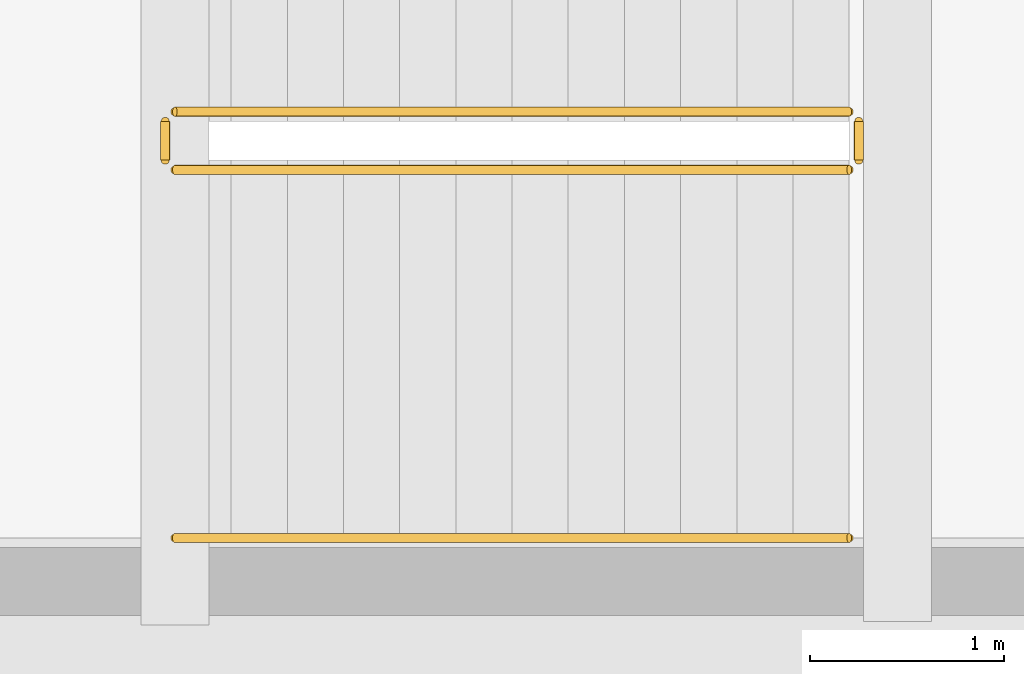
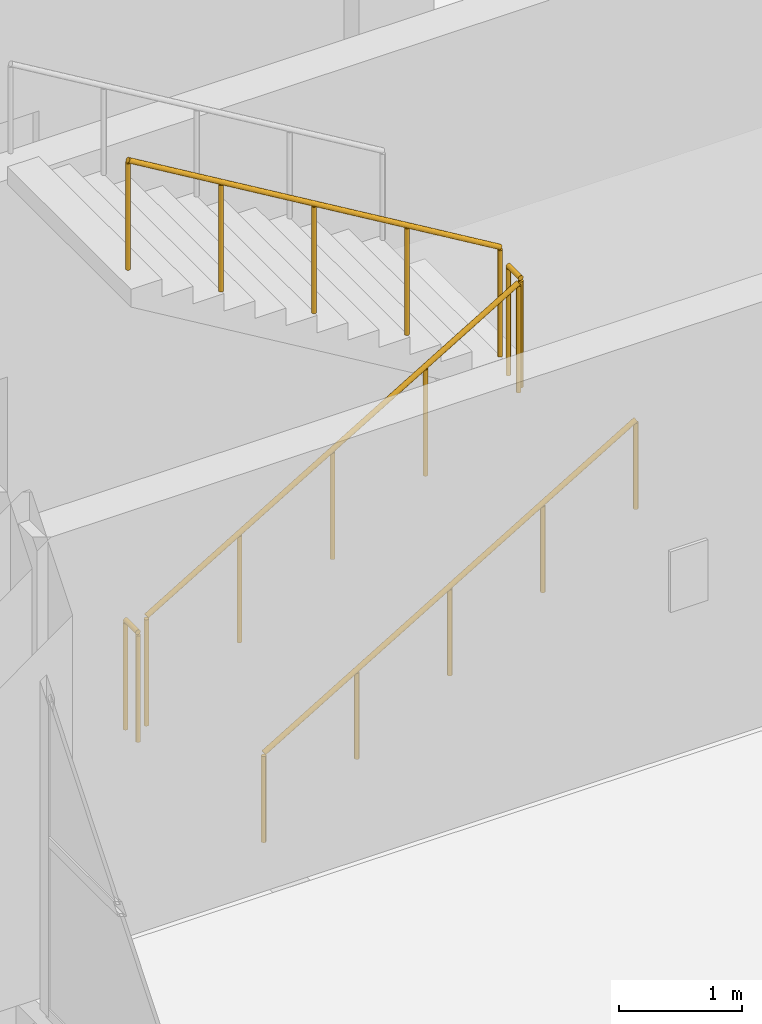
# One storey, part 40 of 45: 5 railings.
"""IFC4 building model written with IfcOpenShell, lengths in metres."""

from ifc_helpers import new_model, si_unit, direction, frame, origin, origin_2d, place, context, subcontext, project, spatial, circle, extrude, material, type_object, element, save


model = new_model("IFC4")

# Units and contexts
model_context = context("Model", 3, precision=1e-05, world=origin(), true_north=direction((0.0, 1.0)))
body_context = subcontext(model_context, "Body", "Model", "MODEL_VIEW")
ifc_project = project(units=[si_unit("LENGTHUNIT", "METRE"), si_unit("AREAUNIT", "SQUARE_METRE"), si_unit("VOLUMEUNIT", "CUBIC_METRE"), si_unit("PLANEANGLEUNIT", "RADIAN"), si_unit("MASSUNIT", "GRAM", prefix="KILO")], contexts=[model_context])

# Site, building, storey
site_placement = place(None, origin())
site = spatial("IfcSite", under=ifc_project, at=site_placement, CompositionType="ELEMENT")
building_placement = place(site_placement, origin())
building = spatial("IfcBuilding", under=site, at=building_placement, Name="Qorikala Patio Media Centre", CompositionType="ELEMENT")
storey_placement = place(building_placement, frame((0.0, 0.0, 9.89990234375)))
storey = spatial("IfcBuildingStorey", under=building, at=storey_placement, Name="L02", CompositionType="ELEMENT", Elevation=9.89990234375)

# Railings
ifc_material_1 = material(Name="Wrought Bronze and Steel S355", Category="steel")
railing_type_1 = type_object("IfcRailingType", Name="RL-GUARD-110", PredefinedType="GUARDRAIL", material=ifc_material_1)
railing_1_placement = place(storey_placement, frame((53.60009765625, 66.35009765625, 0.173095703125)))
element("IfcRailing", 1, at=railing_1_placement, inside=storey, type_object=railing_type_1, Name="L02 ST-6 stair guard 1", PredefinedType="GUARDRAIL", context=body_context, shape_type="SweptSolid", body=[
    extrude(circle(Radius=0.02392578125, at=origin_2d()), frame((0.0, 0.0, 1.076171875), z_axis=(0.858697190188, 0.0, 0.512483302717), x_axis=(0.0, 1.0, 0.0)), (0.0, 0.0, 1.0), 4.052734375),
    extrude(circle(Radius=0.02099609375, at=origin_2d()), origin(), (0.0, 0.0, 1.0), 1.052001953125),
    extrude(circle(Radius=0.02099609375, at=origin_2d()), frame((0.8701171875, 0.0, 0.519287109375)), (0.0, 0.0, 1.0), 1.052001953125),
    extrude(circle(Radius=0.02099609375, at=origin_2d()), frame((1.739990234375, 0.0, 1.03857421875)), (0.0, 0.0, 1.0), 1.052001953125),
    extrude(circle(Radius=0.02099609375, at=origin_2d()), frame((2.60986328125, 0.0, 1.5576171875)), (0.0, 0.0, 1.0), 1.052001953125),
    extrude(circle(Radius=0.02099609375, at=origin_2d()), frame((3.47998046875, 0.0, 2.076904296875)), (0.0, 0.0, 1.0), 1.052001953125),
])
railing_2_placement = place(storey_placement, frame((57.1298828125, 66.39990234375, 2.25)))
element("IfcRailing", 2, at=railing_2_placement, inside=storey, type_object=railing_type_1, Name="L02 ST-6 stair guard 2", PredefinedType="GUARDRAIL", context=body_context, shape_type="SweptSolid", body=[
    extrude(circle(Radius=0.02392578125, at=origin_2d()), frame((0.0, 0.0, 1.076171875), z_axis=(0.0, 1.0, 0.0), x_axis=(-1.0, 0.0, 0.0)), (0.0, 0.0, 1.0), 0.2001953125),
    extrude(circle(Radius=0.02099609375, at=origin_2d()), origin(), (0.0, 0.0, 1.0), 1.052001953125),
    extrude(circle(Radius=0.02099609375, at=origin_2d()), frame((0.0, 0.2001953125, 0.0)), (0.0, 0.0, 1.0), 1.052001953125),
])
railing_3_placement = place(storey_placement, frame((57.080078125, 66.64990234375, 2.423095703125)))
element("IfcRailing", 3, at=railing_3_placement, inside=storey, type_object=railing_type_1, Name="L02 ST-6 stair guard 3", PredefinedType="GUARDRAIL", context=body_context, shape_type="SweptSolid", body=[
    extrude(circle(Radius=0.02392578125, at=origin_2d()), frame((0.0, 0.0, 1.076171875), z_axis=(-0.858697190188, 0.0, 0.512483302717), x_axis=(0.0, -1.0, 0.0)), (0.0, 0.0, 1.0), 4.052734375),
    extrude(circle(Radius=0.02099609375, at=origin_2d()), origin(), (0.0, 0.0, 1.0), 1.052001953125),
    extrude(circle(Radius=0.02099609375, at=origin_2d()), frame((-0.8701171875, 0.0, 0.519287109375)), (0.0, 0.0, 1.0), 1.052001953125),
    extrude(circle(Radius=0.02099609375, at=origin_2d()), frame((-1.739990234375, 0.0, 1.03857421875)), (0.0, 0.0, 1.0), 1.052001953125),
    extrude(circle(Radius=0.02099609375, at=origin_2d()), frame((-2.60986328125, 0.0, 1.5576171875)), (0.0, 0.0, 1.0), 1.052001953125),
    extrude(circle(Radius=0.02099609375, at=origin_2d()), frame((-3.47998046875, 0.0, 2.076904296875)), (0.0, 0.0, 1.0), 1.052001953125),
])
railing_4_placement = place(storey_placement, frame((53.550048828125, 66.39990234375, 0.0)))
element("IfcRailing", 4, at=railing_4_placement, inside=storey, type_object=railing_type_1, Name="L02 ST-6 stair guard 4", PredefinedType="GUARDRAIL", context=body_context, shape_type="SweptSolid", body=[
    extrude(circle(Radius=0.02392578125, at=origin_2d()), frame((0.0, 0.0, 1.076171875), z_axis=(0.0, 1.0, 0.0), x_axis=(-1.0, 0.0, 0.0)), (0.0, 0.0, 1.0), 0.2001953125),
    extrude(circle(Radius=0.02099609375, at=origin_2d()), origin(), (0.0, 0.0, 1.0), 1.052001953125),
    extrude(circle(Radius=0.02099609375, at=origin_2d()), frame((0.0, 0.2001953125, 0.0)), (0.0, 0.0, 1.0), 1.052001953125),
])
ifc_material_2 = material(Name="Brushed Bronze Tubular Steel S355", Category="steel")
railing_type_2 = type_object("IfcRailingType", Name="RL-HAND-090", PredefinedType="HANDRAIL", material=ifc_material_2)
railing_5_placement = place(storey_placement, frame((53.60009765625, 64.449951171875, 0.173095703125)))
element("IfcRailing", 5, at=railing_5_placement, inside=storey, type_object=railing_type_2, Name="L02 ST-6 stair handrail 1", PredefinedType="HANDRAIL", context=body_context, shape_type="SweptSolid", body=[
    extrude(circle(Radius=0.02392578125, at=origin_2d()), frame((0.0, 0.0, 0.8759765625), z_axis=(0.858697190188, 0.0, 0.512483302717), x_axis=(0.0, 1.0, 0.0)), (0.0, 0.0, 1.0), 4.052734375),
    extrude(circle(Radius=0.02099609375, at=origin_2d()), origin(), (0.0, 0.0, 1.0), 0.851806640625),
    extrude(circle(Radius=0.02099609375, at=origin_2d()), frame((0.8701171875, 0.0, 0.519287109375)), (0.0, 0.0, 1.0), 0.851806640625),
    extrude(circle(Radius=0.02099609375, at=origin_2d()), frame((1.739990234375, 0.0, 1.03857421875)), (0.0, 0.0, 1.0), 0.851806640625),
    extrude(circle(Radius=0.02099609375, at=origin_2d()), frame((2.60986328125, 0.0, 1.5576171875)), (0.0, 0.0, 1.0), 0.851806640625),
    extrude(circle(Radius=0.02099609375, at=origin_2d()), frame((3.47998046875, 0.0, 2.076904296875)), (0.0, 0.0, 1.0), 0.851806640625),
])

save(model, "model.ifc")
